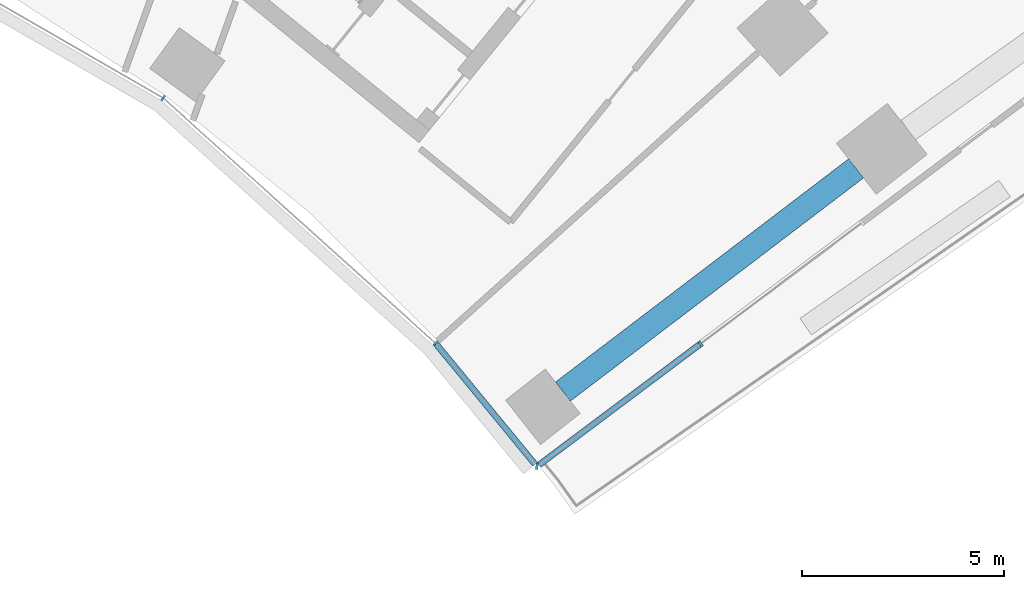
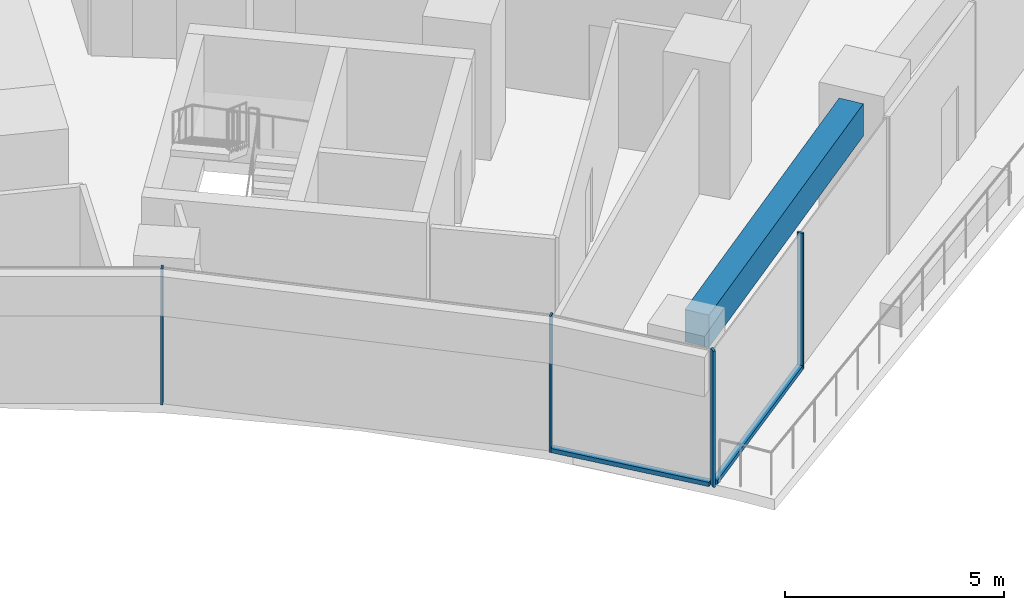
# One storey, part 8 of 21: 6 members, 1 beam, 2 elements without a shape of their own.
"""IFC4 building model written with IfcOpenShell, lengths in metres."""

from ifc_helpers import new_model, si_unit, direction, frame, origin, origin_2d, place, context, subcontext, project, spatial, rectangle, extrude, material, layer, layer_set, material_profile, profile_set, type_object, element, aggregate, save


model = new_model("IFC4")

# Units and contexts
model_context = context("Model", 3, precision=1e-05, world=origin(), true_north=direction((0.0, 1.0)))
body_context = subcontext(model_context, "Body", "Model", "MODEL_VIEW")
ifc_project = project(units=[si_unit("LENGTHUNIT", "METRE"), si_unit("AREAUNIT", "SQUARE_METRE"), si_unit("VOLUMEUNIT", "CUBIC_METRE"), si_unit("PLANEANGLEUNIT", "RADIAN"), si_unit("MASSUNIT", "GRAM", prefix="KILO")], contexts=[model_context])

# Site, building, storey
site_placement = place(None, origin())
site = spatial("IfcSite", under=ifc_project, at=site_placement, CompositionType="ELEMENT")
building_placement = place(site_placement, origin())
building = spatial("IfcBuilding", under=site, at=building_placement, Name="Stone Belt Terrace Tower", CompositionType="ELEMENT")
storey_placement = place(building_placement, frame((0.0, 0.0, 68.0)))
storey = spatial("IfcBuildingStorey", under=building, at=storey_placement, Name="L16", CompositionType="ELEMENT", Elevation=68.0)

# Curtain wall, members
ifc_material_1 = material(Name="Aluminium 6063-T6 anodised frame", Category="aluminium")
ifc_layer_1 = layer(ifc_material_1, 0.14990234375)
ifc_layer_set_1 = layer_set([ifc_layer_1], Name="CW-B unitised concave-face curtain wall")
curtain_wall_type_1 = type_object("IfcCurtainWallType", Name="CW-B unitised concave-face curtain wall", PredefinedType="NOTDEFINED", material=ifc_layer_set_1)
curtain_wall_1_placement = place(storey_placement, origin())
curtain_wall_1 = element("IfcCurtainWall", 1, at=curtain_wall_1_placement, inside=storey, type_object=curtain_wall_type_1, Name="CW-B concave face L16", PredefinedType="NOTDEFINED")
ifc_material_profile_1 = material_profile(ifc_material_1, rectangle(XDim=0.14990234375, YDim=0.050048828125, at=origin_2d()), Name="Aluminium 6063-T6 50x150")
ifc_profile_set_1 = profile_set([ifc_material_profile_1], Name="Aluminium 6063-T6 anodised frame")
member_type_1 = type_object("IfcMemberType", Name="CW-B mullion 50 x 150", PredefinedType="MULLION", material=ifc_profile_set_1)
member_1_placement = place(storey_placement, frame((25.5244140625, 35.13134765625, 0.0), z_axis=(0.0, 0.0, 1.0), x_axis=(0.587785252292, 0.809016994375, 0.0)))
member_1 = element("IfcMember", 2, at=member_1_placement, type_object=member_type_1, Name="CW-B mullion 9", PredefinedType="MULLION", context=body_context, shape_type="SweptSolid", body=[
    extrude(rectangle(XDim=0.14990234375, YDim=0.050048828125, at=origin_2d()), origin(), (0.0, 0.0, 1.0), 3.800048828125),
])
member_2_placement = place(storey_placement, frame((32.2724609375, 29.05517578125, 0.0), z_axis=(0.0, 0.0, 1.0), x_axis=(0.722752516957, 0.691106937624, 0.0)))
member_2 = element("IfcMember", 3, at=member_2_placement, type_object=member_type_1, Name="CW-B mullion 10", PredefinedType="MULLION", context=body_context, shape_type="SweptSolid", body=[
    extrude(rectangle(XDim=0.14990234375, YDim=0.050048828125, at=origin_2d()), origin(), (0.0, 0.0, 1.0), 3.800048828125),
])
ifc_material_profile_2 = material_profile(ifc_material_1, rectangle(XDim=0.14990234375, YDim=0.1201171875, at=origin_2d()), Name="Aluminium 6063-T6 150x120")
ifc_profile_set_2 = profile_set([ifc_material_profile_2], Name="Aluminium 6063-T6 anodised frame")
member_type_2 = type_object("IfcMemberType", Name="CW-B transom 120 x 150", PredefinedType="USERDEFINED", material=ifc_profile_set_2)
member_3_placement = place(storey_placement, frame((32.291748046875, 29.03173828125, 0.06005859375), z_axis=(0.635216972349, -0.772333734884, 0.0), x_axis=(0.772333734884, 0.635216972349, 0.0)))
member_3 = element("IfcMember", 4, at=member_3_placement, type_object=member_type_2, Name="CW-B transom 10.1", ObjectType="TRANSOM", PredefinedType="USERDEFINED", context=body_context, shape_type="SweptSolid", body=[
    extrude(rectangle(XDim=0.14990234375, YDim=0.1201171875, at=origin_2d()), origin(), (0.0, 0.0, 1.0), 3.8583984375),
])
aggregate(curtain_wall_1, [member_1, member_2, member_3])

ifc_layer_2 = layer(ifc_material_1, 0.14990234375)
ifc_layer_set_2 = layer_set([ifc_layer_2], Name="CW-C stick curtain wall, horn ends and notches")
curtain_wall_type_2 = type_object("IfcCurtainWallType", Name="CW-C stick curtain wall, horn ends and notches", PredefinedType="NOTDEFINED", material=ifc_layer_set_2)
curtain_wall_2_placement = place(storey_placement, origin())
curtain_wall_2 = element("IfcCurtainWall", 5, at=curtain_wall_2_placement, inside=storey, type_object=curtain_wall_type_2, Name="CW-C end face L16", PredefinedType="NOTDEFINED")
ifc_material_profile_3 = material_profile(ifc_material_1, rectangle(XDim=0.14990234375, YDim=0.06005859375, at=origin_2d()), Name="Aluminium 6063-T6 60x150")
ifc_profile_set_3 = profile_set([ifc_material_profile_3], Name="Aluminium 6063-T6 anodised frame")
member_type_3 = type_object("IfcMemberType", Name="CW-C mullion 60 x 150", PredefinedType="MULLION", material=ifc_profile_set_3)
member_4_placement = place(storey_placement, frame((34.787109375, 25.997802734375, 0.0), z_axis=(0.0, 0.0, 1.0), x_axis=(0.119211709622, 0.992868857548, 0.0)))
member_4 = element("IfcMember", 6, at=member_4_placement, type_object=member_type_3, Name="CW-C mullion 1", PredefinedType="MULLION", context=body_context, shape_type="SweptSolid", body=[
    extrude(rectangle(XDim=0.14990234375, YDim=0.06005859375, at=origin_2d()), origin(), (0.0, 0.0, 1.0), 3.800048828125),
])
member_5_placement = place(storey_placement, frame((38.84423828125, 29.040771484375, 0.0), z_axis=(0.0, 0.0, 1.0), x_axis=(-0.600017992436, 0.799986505357, 0.0)))
member_5 = element("IfcMember", 7, at=member_5_placement, type_object=member_type_3, Name="CW-C mullion 2", PredefinedType="MULLION", context=body_context, shape_type="SweptSolid", body=[
    extrude(rectangle(XDim=0.14990234375, YDim=0.06005859375, at=origin_2d()), origin(), (0.0, 0.0, 1.0), 3.800048828125),
])
ifc_material_profile_4 = material_profile(ifc_material_1, rectangle(XDim=0.14990234375, YDim=0.1201171875, at=origin_2d()), Name="Aluminium 6063-T6 150x120")
ifc_profile_set_4 = profile_set([ifc_material_profile_4], Name="Aluminium 6063-T6 anodised frame")
member_type_4 = type_object("IfcMemberType", Name="CW-C transom 120 x 150", PredefinedType="USERDEFINED", material=ifc_profile_set_4)
member_6_placement = place(storey_placement, frame((34.845947265625, 26.041748046875, 0.06005859375), z_axis=(0.79995872006, 0.600055035976, 0.0), x_axis=(-0.600055035976, 0.79995872006, 0.0)))
member_6 = element("IfcMember", 8, at=member_6_placement, type_object=member_type_4, Name="CW-C transom 1.1", ObjectType="TRANSOM", PredefinedType="USERDEFINED", context=body_context, shape_type="SweptSolid", body=[
    extrude(rectangle(XDim=0.14990234375, YDim=0.1201171875, at=origin_2d()), origin(), (0.0, 0.0, 1.0), 4.96826171875),
])
aggregate(curtain_wall_2, [member_4, member_5, member_6])

# Beam
ifc_material_2 = material(Name="Concrete B60", Category="concrete")
ifc_material_profile_5 = material_profile(ifc_material_2, rectangle(XDim=0.60009765625, YDim=0.89990234375, at=origin_2d()), Name="RC 600x900")
ifc_profile_set_5 = profile_set([ifc_material_profile_5], Name="Concrete B60")
beam_type = type_object("IfcBeamType", Name="Edge beam RC 600x900 B60", PredefinedType="SPANDREL", material=ifc_profile_set_5)
beam_placement = place(storey_placement, frame((35.431396484375, 27.855224609375, 3.030029296875), z_axis=(0.795705994506, 0.605683060939, 0.0), x_axis=(-0.605683060939, 0.795705994506, 0.0)))
element("IfcBeam", 9, at=beam_placement, inside=storey, type_object=beam_type, Name="Edge beam L16 B P to Q", PredefinedType="SPANDREL", context=body_context, shape_type="SweptSolid", body=[
    extrude(rectangle(XDim=0.60009765625, YDim=0.89990234375, at=origin_2d()), origin(), (0.0, 0.0, 1.0), 9.131103515625),
])

save(model, "model.ifc")
